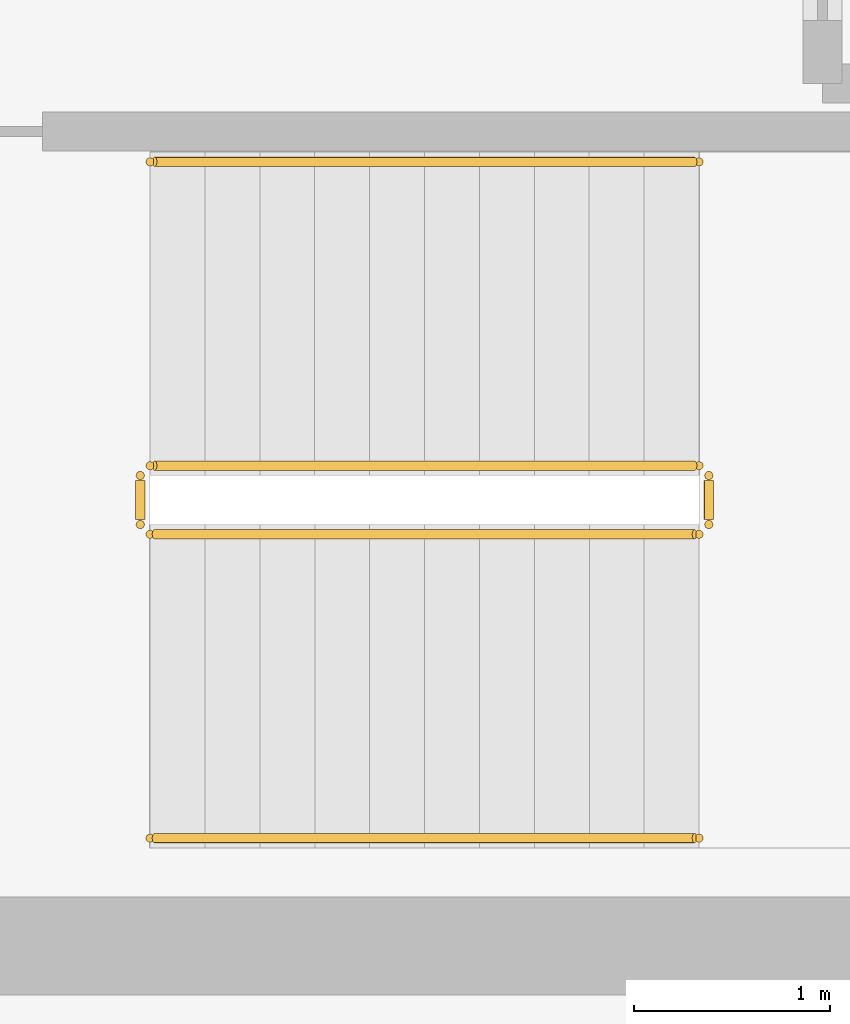
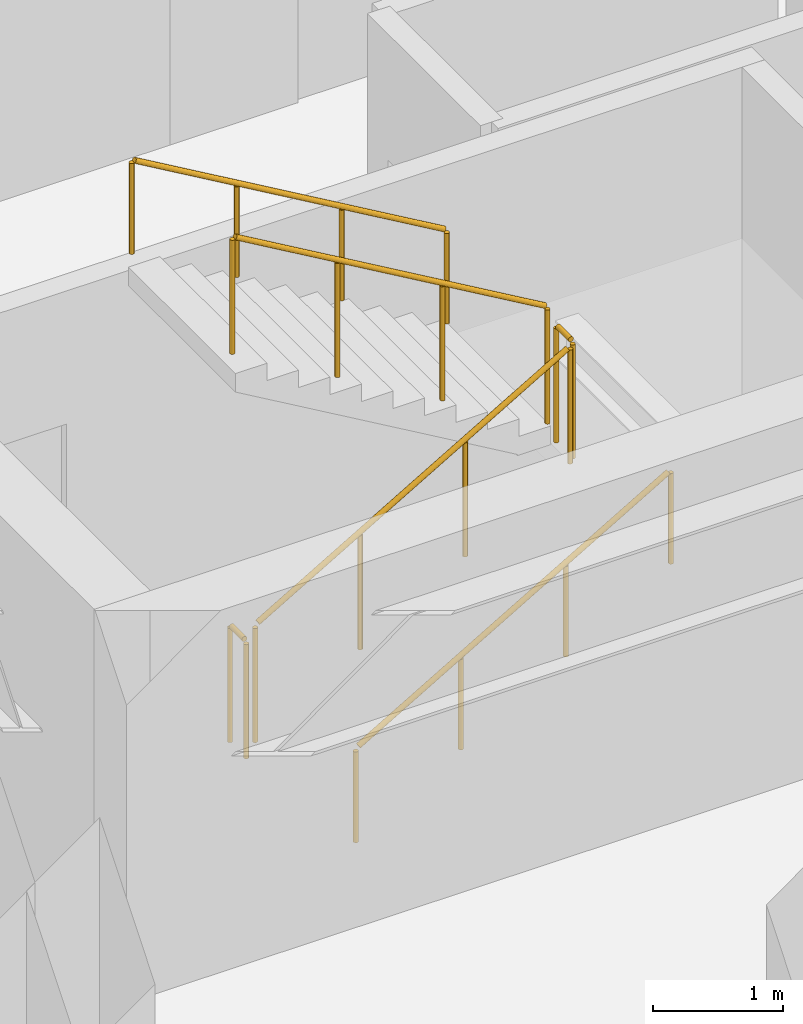
# One storey, part 14 of 14: 6 railings.
"""IFC4 building model written with IfcOpenShell, lengths in metres."""

from ifc_helpers import new_model, si_unit, direction, frame, origin, origin_2d, place, context, subcontext, project, spatial, circle, extrude, source, transform, mapped, material, layer, layer_set, type_object, element, save


model = new_model("IFC4")

# Units and contexts
model_context = context("Model", 3, precision=1e-05, world=origin(), true_north=direction((0.0, 1.0)))
body_context = subcontext(model_context, "Body", "Model", "MODEL_VIEW")
ifc_project = project(units=[si_unit("LENGTHUNIT", "METRE"), si_unit("AREAUNIT", "SQUARE_METRE"), si_unit("VOLUMEUNIT", "CUBIC_METRE"), si_unit("PLANEANGLEUNIT", "RADIAN"), si_unit("MASSUNIT", "GRAM", prefix="KILO")], contexts=[model_context])

# Site, building, storey
site_placement = place(None, origin())
site = spatial("IfcSite", under=ifc_project, at=site_placement, CompositionType="ELEMENT")
building_placement = place(site_placement, origin())
building = spatial("IfcBuilding", under=site, at=building_placement, Name="Kharzan Plaza Tower", CompositionType="ELEMENT")
storey_placement = place(building_placement, frame((0.0, 0.0, 241.199951171875)))
storey = spatial("IfcBuildingStorey", under=building, at=storey_placement, Name="L65", CompositionType="ELEMENT", Elevation=241.199951171875)

# Railings
ifc_material_1 = material(Name="Painted Galvanized Architectural Steel", Category="steel")
ifc_layer_1 = layer(ifc_material_1, 0.074951171875)
ifc_layer_set_1 = layer_set([ifc_layer_1], Name="Painted Galvanized Architectural Steel")
railing_type_1 = type_object("IfcRailingType", Name="RL-GUARD-1120", PredefinedType="BALUSTRADE", material=ifc_layer_set_1)
shared_shape_1 = source(origin(), body_context, "Body", "SweptSolid", [
    extrude(circle(Radius=0.02392578125, at=origin_2d()), frame((0.0, 0.0263671875, 1.09619140625), z_axis=(0.0, 1.0, 0.0), x_axis=(-1.0, 0.0, 0.0)), (0.0, 0.0, 1.0), 0.197021484375),
    extrude(circle(Radius=0.02099609375, at=origin_2d()), origin(), (0.0, 0.0, 1.0), 1.072021484375),
    extrude(circle(Radius=0.02099609375, at=origin_2d()), frame((0.0, 0.25, 0.0)), (0.0, 0.0, 1.0), 1.072021484375),
])
for number, where, name in (
    (1, (41.10009765625, 6.64990234375, 1.800048828125), "L65 ST-3 stair guard 2"),
    (2, (38.199951171875, 6.64990234375, 0.0), "L65 ST-3 stair guard 4"),
):
    element("IfcRailing", number, at=place(storey_placement, frame(where)), inside=storey, type_object=railing_type_1, Name=name, PredefinedType="BALUSTRADE", context=body_context, shape_type="MappedRepresentation", body=[
        mapped(shared_shape_1, transform((0.0, 0.0, 0.0), x_axis=(1.0, 0.0, 0.0), y_axis=(0.0, 1.0, 0.0), z_axis=(0.0, 0.0, 1.0))),
    ])
shared_shape_2 = source(origin(), body_context, "Body", "SweptSolid", [
    extrude(circle(Radius=0.02392578125, at=origin_2d()), frame((0.02294921875, 0.0, 1.109375), z_axis=(0.863360870873, 0.0, 0.504586966384), x_axis=(0.0, 1.0, 0.0)), (0.0, 0.0, 1.0), 3.190185546875),
    extrude(circle(Radius=0.02099609375, at=origin_2d()), origin(), (0.0, 0.0, 1.0), 1.072021484375),
    extrude(circle(Radius=0.02099609375, at=origin_2d()), frame((0.933349609375, 0.0, 0.54541015625)), (0.0, 0.0, 1.0), 1.072021484375),
    extrude(circle(Radius=0.02099609375, at=origin_2d()), frame((1.86669921875, 0.0, 1.091064453125)), (0.0, 0.0, 1.0), 1.072021484375),
    extrude(circle(Radius=0.02099609375, at=origin_2d()), frame((2.800048828125, 0.0, 1.636474609375)), (0.0, 0.0, 1.0), 1.072021484375),
])
railing_1_placement = place(storey_placement, frame((38.25, 6.60009765625, 0.16357421875)))
element("IfcRailing", 3, at=railing_1_placement, inside=storey, type_object=railing_type_1, Name="L65 ST-3 stair guard 1", PredefinedType="BALUSTRADE", context=body_context, shape_type="MappedRepresentation", body=[
    mapped(shared_shape_2, transform((0.0, 0.0, 0.0), x_axis=(1.0, 0.0, 0.0), y_axis=(0.0, 1.0, 0.0), z_axis=(0.0, 0.0, 1.0))),
])
shared_shape_3 = source(origin(), body_context, "Body", "SweptSolid", [
    extrude(circle(Radius=0.02392578125, at=origin_2d()), frame((-0.02294921875, 0.0, 1.109375), z_axis=(-0.863360870873, 0.0, 0.504586966384), x_axis=(0.0, -1.0, 0.0)), (0.0, 0.0, 1.0), 3.190185546875),
    extrude(circle(Radius=0.02099609375, at=origin_2d()), origin(), (0.0, 0.0, 1.0), 1.072021484375),
    extrude(circle(Radius=0.02099609375, at=origin_2d()), frame((-0.933349609375, 0.0, 0.54541015625)), (0.0, 0.0, 1.0), 1.072021484375),
    extrude(circle(Radius=0.02099609375, at=origin_2d()), frame((-1.86669921875, 0.0, 1.091064453125)), (0.0, 0.0, 1.0), 1.072021484375),
    extrude(circle(Radius=0.02099609375, at=origin_2d()), frame((-2.800048828125, 0.0, 1.636474609375)), (0.0, 0.0, 1.0), 1.072021484375),
])
railing_2_placement = place(storey_placement, frame((41.050048828125, 6.949951171875, 1.963623046875)))
element("IfcRailing", 4, at=railing_2_placement, inside=storey, type_object=railing_type_1, Name="L65 ST-3 stair guard 3", PredefinedType="BALUSTRADE", context=body_context, shape_type="MappedRepresentation", body=[
    mapped(shared_shape_3, transform((0.0, 0.0, 0.0), x_axis=(1.0, 0.0, 0.0), y_axis=(0.0, 1.0, 0.0), z_axis=(0.0, 0.0, 1.0))),
])
ifc_material_2 = material(Name="Brushed Stainless Steel", Category="steel")
ifc_layer_2 = layer(ifc_material_2, 0.050048828125)
ifc_layer_set_2 = layer_set([ifc_layer_2], Name="Brushed Stainless Steel")
railing_type_2 = type_object("IfcRailingType", Name="RL-STAIR-HR920", PredefinedType="HANDRAIL", material=ifc_layer_set_2)
shared_shape_4 = source(origin(), body_context, "Body", "SweptSolid", [
    extrude(circle(Radius=0.02392578125, at=origin_2d()), frame((0.02294921875, 0.0, 0.88916015625), z_axis=(0.863360870873, 0.0, 0.504586966384), x_axis=(0.0, 1.0, 0.0)), (0.0, 0.0, 1.0), 3.190185546875),
    extrude(circle(Radius=0.02099609375, at=origin_2d()), origin(), (0.0, 0.0, 1.0), 0.851806640625),
    extrude(circle(Radius=0.02099609375, at=origin_2d()), frame((0.933349609375, 0.0, 0.54541015625)), (0.0, 0.0, 1.0), 0.851806640625),
    extrude(circle(Radius=0.02099609375, at=origin_2d()), frame((1.86669921875, 0.0, 1.091064453125)), (0.0, 0.0, 1.0), 0.851806640625),
    extrude(circle(Radius=0.02099609375, at=origin_2d()), frame((2.800048828125, 0.0, 1.636474609375)), (0.0, 0.0, 1.0), 0.851806640625),
])
railing_3_placement = place(storey_placement, frame((38.25, 5.050048828125, 0.16357421875)))
element("IfcRailing", 5, at=railing_3_placement, inside=storey, type_object=railing_type_2, Name="L65 ST-3 stair handrail 1", PredefinedType="HANDRAIL", context=body_context, shape_type="MappedRepresentation", body=[
    mapped(shared_shape_4, transform((0.0, 0.0, 0.0), x_axis=(1.0, 0.0, 0.0), y_axis=(0.0, 1.0, 0.0), z_axis=(0.0, 0.0, 1.0))),
])
shared_shape_5 = source(origin(), body_context, "Body", "SweptSolid", [
    extrude(circle(Radius=0.02392578125, at=origin_2d()), frame((-0.02294921875, 0.0, 0.88916015625), z_axis=(-0.863360870873, 0.0, 0.504586966384), x_axis=(0.0, -1.0, 0.0)), (0.0, 0.0, 1.0), 3.190185546875),
    extrude(circle(Radius=0.02099609375, at=origin_2d()), origin(), (0.0, 0.0, 1.0), 0.851806640625),
    extrude(circle(Radius=0.02099609375, at=origin_2d()), frame((-0.933349609375, 0.0, 0.54541015625)), (0.0, 0.0, 1.0), 0.851806640625),
    extrude(circle(Radius=0.02099609375, at=origin_2d()), frame((-1.86669921875, 0.0, 1.091064453125)), (0.0, 0.0, 1.0), 0.851806640625),
    extrude(circle(Radius=0.02099609375, at=origin_2d()), frame((-2.800048828125, 0.0, 1.636474609375)), (0.0, 0.0, 1.0), 0.851806640625),
])
railing_4_placement = place(storey_placement, frame((41.050048828125, 8.5, 1.963623046875)))
element("IfcRailing", 6, at=railing_4_placement, inside=storey, type_object=railing_type_2, Name="L65 ST-3 stair handrail 2", PredefinedType="HANDRAIL", context=body_context, shape_type="MappedRepresentation", body=[
    mapped(shared_shape_5, transform((0.0, 0.0, 0.0), x_axis=(1.0, 0.0, 0.0), y_axis=(0.0, 1.0, 0.0), z_axis=(0.0, 0.0, 1.0))),
])

save(model, "model.ifc")
